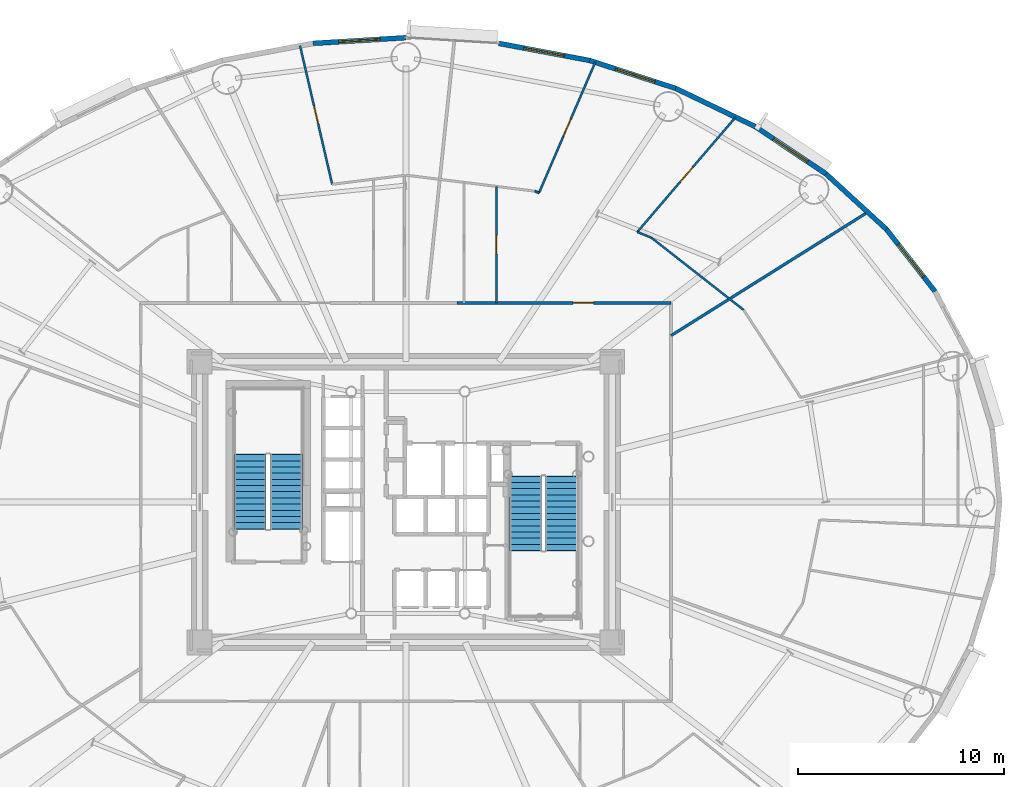
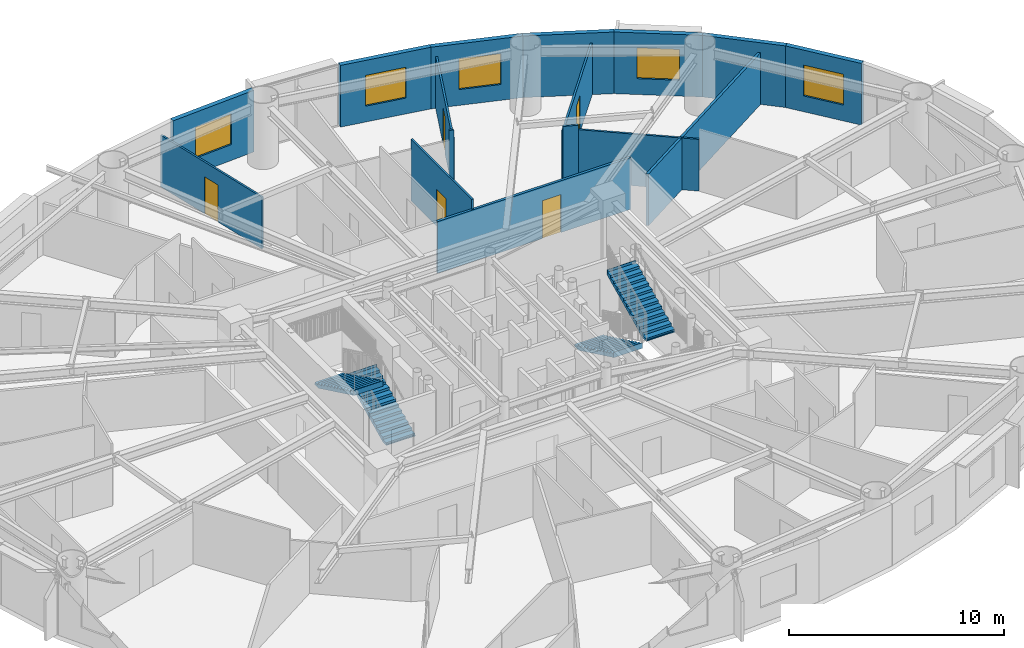
# One storey, part 15 of 21: 16 walls, 5 doors, 5 windows, 4 stair flights, 10 openings, 2 elements without a shape of their own.
"""IFC4 building model written with IfcOpenShell, lengths in metres."""

from ifc_helpers import new_model, si_unit, direction, frame, frame_2d, origin, origin_2d, place, context, subcontext, project, spatial, polyline, rectangle, outline, extrude, source, transform, mapped, material, layer, layer_set, type_object, element, fill, aggregate, save


model = new_model("IFC4")

# Units and contexts
model_context = context("Model", 3, precision=1e-05, world=origin(), true_north=direction((0.0, 1.0)))
body_context = subcontext(model_context, "Body", "Model", "MODEL_VIEW")
ifc_project = project(units=[si_unit("LENGTHUNIT", "METRE"), si_unit("AREAUNIT", "SQUARE_METRE"), si_unit("VOLUMEUNIT", "CUBIC_METRE"), si_unit("PLANEANGLEUNIT", "RADIAN"), si_unit("MASSUNIT", "GRAM", prefix="KILO")], contexts=[model_context])

# Site, building, storey
site_placement = place(None, origin())
site = spatial("IfcSite", under=ifc_project, at=site_placement, CompositionType="ELEMENT")
building_placement = place(site_placement, origin())
building = spatial("IfcBuilding", under=site, at=building_placement, Name="Linh Dai School and Residence Tower", CompositionType="ELEMENT")
storey_placement = place(building_placement, frame((0.0, 0.0, 115.949951171875)))
storey = spatial("IfcBuildingStorey", under=building, at=storey_placement, Name="L27", CompositionType="ELEMENT", Elevation=115.949951171875)

# Wall, opening, window
ifc_material_1 = material(Name="Precast Concrete B45 (C35/45)", Category="concrete")
ifc_layer_1 = layer(ifc_material_1, 0.239990234375)
ifc_layer_set_1 = layer_set([ifc_layer_1], Name="Precast Concrete B45 (C35/45)")
wall_type_1 = type_object("IfcWallType", Name="EW-TC-240", PredefinedType="SOLIDWALL", material=ifc_layer_set_1)
wall_1_placement = place(storey_placement, frame((59.2890625, 40.216552734375, 0.0), z_axis=(0.0, 0.0, 1.0), x_axis=(0.616272103517, -0.787533297345, 0.0)))
wall_1 = element("IfcWall", 1, at=wall_1_placement, inside=storey, type_object=wall_type_1, Name="L27 Terracotta Exterior Wall 04", PredefinedType="SOLIDWALL", context=body_context, shape_type="SweptSolid", body=[
    extrude(rectangle(XDim=3.8232421875, YDim=0.239990234375, at=frame_2d((1.91162109375, 0.0))), origin(), (0.0, 0.0, 1.0), 3.5),
])
opening_1_placement = place(wall_1_placement, frame((0.91162109375, 0.0, 0.89990234375)))
opening_1 = element("IfcOpeningElement", 2, at=opening_1_placement, cuts=wall_1, Name="Opening W1", PredefinedType="OPENING", context=body_context, shape_type="SweptSolid", body=[
    extrude(rectangle(XDim=2.0, YDim=1.75, at=origin_2d()), frame((1.0, 0.1298828125, 0.875), z_axis=(0.0, -1.0, 0.0), x_axis=(1.0, 0.0, 0.0)), (0.0, 0.0, 1.0), 0.260009765625),
])
ifc_material_2 = material(Name="Double Low-E Insulated Glazing", Category="glass")
window_type = type_object("IfcWindowType", Name="WN-RES-2000x1750", PartitioningType="DOUBLE_PANEL_VERTICAL", PredefinedType="WINDOW", material=ifc_material_2)
shared_shape_1 = source(origin(), body_context, "Body", "SweptSolid", [
    extrude(rectangle(XDim=2.0, YDim=1.75, at=origin_2d()), frame((1.0, 0.030029296875, 0.875), z_axis=(0.0, -1.0, 0.0), x_axis=(1.0, 0.0, 0.0)), (0.0, 0.0, 1.0), 0.06005859375),
])
window_1_placement = place(opening_1_placement, origin())
window_1 = element("IfcWindow", 3, at=window_1_placement, inside=storey, type_object=window_type, Name="L27 Exterior Window 04.1", OverallHeight=1.75, OverallWidth=2.0, PartitioningType="DOUBLE_PANEL_VERTICAL", PredefinedType="WINDOW", context=body_context, shape_type="MappedRepresentation", body=[
    mapped(shared_shape_1, transform((0.0, 0.0, 0.0), x_axis=(1.0, 0.0, 0.0), y_axis=(0.0, 1.0, 0.0), z_axis=(0.0, 0.0, 1.0), scale=1.0)),
])
fill(opening_1, window_1)

# Wall
wall_2_placement = place(storey_placement, frame((56.3583984375, 42.9033203125, 0.0), z_axis=(0.0, 0.0, 1.0), x_axis=(0.737113356241, -0.675769117414, 0.0)))
element("IfcWall", 4, at=wall_2_placement, inside=storey, type_object=wall_type_1, Name="L27 Terracotta Exterior Wall 05", PredefinedType="SOLIDWALL", context=body_context, shape_type="SweptSolid", body=[
    extrude(rectangle(XDim=3.975830078125, YDim=0.239990234375, at=frame_2d((1.98779296875, 0.0))), origin(), (0.0, 0.0, 1.0), 3.5),
])

# Wall, opening, window
wall_3_placement = place(storey_placement, frame((52.92529296875, 45.199462890625, 0.0), z_axis=(0.0, 0.0, 1.0), x_axis=(0.831221811447, -0.555940914284, 0.0)))
wall_3 = element("IfcWall", 5, at=wall_3_placement, inside=storey, type_object=wall_type_1, Name="L27 Terracotta Exterior Wall 06", PredefinedType="SOLIDWALL", context=body_context, shape_type="SweptSolid", body=[
    extrude(rectangle(XDim=4.130126953125, YDim=0.239990234375, at=frame_2d((2.06494140625, 0.0))), origin(), (0.0, 0.0, 1.0), 3.5),
])
opening_2_placement = place(wall_3_placement, frame((1.06494140625, 0.0, 0.89990234375)))
opening_2 = element("IfcOpeningElement", 6, at=opening_2_placement, cuts=wall_3, Name="Opening W1", PredefinedType="OPENING", context=body_context, shape_type="SweptSolid", body=[
    extrude(rectangle(XDim=2.0, YDim=1.75, at=origin_2d()), frame((1.0, 0.1298828125, 0.875), z_axis=(0.0, -1.0, 0.0), x_axis=(1.0, 0.0, 0.0)), (0.0, 0.0, 1.0), 0.260009765625),
])
window_2_placement = place(opening_2_placement, origin())
window_2 = element("IfcWindow", 7, at=window_2_placement, inside=storey, type_object=window_type, Name="L27 Exterior Window 06.1", OverallHeight=1.75, OverallWidth=2.0, PartitioningType="DOUBLE_PANEL_VERTICAL", PredefinedType="WINDOW", context=body_context, shape_type="MappedRepresentation", body=[
    mapped(shared_shape_1, transform((0.0, 0.0, 0.0), x_axis=(1.0, 0.0, 0.0), y_axis=(0.0, 1.0, 0.0), z_axis=(0.0, 0.0, 1.0), scale=1.0)),
])
fill(opening_2, window_2)

# Wall
wall_4_placement = place(storey_placement, frame((49.073974609375, 47.04736328125, 0.0), z_axis=(0.0, 0.0, 1.0), x_axis=(0.901589935876, -0.432591709962, 0.0)))
element("IfcWall", 8, at=wall_4_placement, inside=storey, type_object=wall_type_1, Name="L27 Terracotta Exterior Wall 07", PredefinedType="SOLIDWALL", context=body_context, shape_type="SweptSolid", body=[
    extrude(rectangle(XDim=4.271728515625, YDim=0.239990234375, at=frame_2d((2.1357421875, 0.0))), origin(), (0.0, 0.0, 1.0), 3.5),
])

# Wall, opening, window
wall_5_placement = place(storey_placement, frame((44.899658203125, 48.4013671875, 0.0), z_axis=(0.0, 0.0, 1.0), x_axis=(0.951211346073, -0.308540070495, 0.0)))
wall_5 = element("IfcWall", 9, at=wall_5_placement, inside=storey, type_object=wall_type_1, Name="L27 Terracotta Exterior Wall 08", PredefinedType="SOLIDWALL", context=body_context, shape_type="SweptSolid", body=[
    extrude(rectangle(XDim=4.388427734375, YDim=0.239990234375, at=frame_2d((2.1943359375, 0.0))), origin(), (0.0, 0.0, 1.0), 3.5),
])
opening_3_placement = place(wall_5_placement, frame((1.329345703125, 0.0, 0.89990234375)))
opening_3 = element("IfcOpeningElement", 10, at=opening_3_placement, cuts=wall_5, Name="Opening W1", PredefinedType="OPENING", context=body_context, shape_type="SweptSolid", body=[
    extrude(rectangle(XDim=2.0, YDim=1.75, at=origin_2d()), frame((1.0, 0.1298828125, 0.875), z_axis=(0.0, -1.0, 0.0), x_axis=(1.0, 0.0, 0.0)), (0.0, 0.0, 1.0), 0.260009765625),
])
window_3_placement = place(opening_3_placement, origin())
window_3 = element("IfcWindow", 11, at=window_3_placement, inside=storey, type_object=window_type, Name="L27 Exterior Window 08.1", OverallHeight=1.75, OverallWidth=2.0, PartitioningType="DOUBLE_PANEL_VERTICAL", PredefinedType="WINDOW", context=body_context, shape_type="MappedRepresentation", body=[
    mapped(shared_shape_1, transform((0.0, 0.0, 0.0), x_axis=(1.0, 0.0, 0.0), y_axis=(0.0, 1.0, 0.0), z_axis=(0.0, 0.0, 1.0), scale=1.0)),
])
fill(opening_3, window_3)

wall_6_placement = place(storey_placement, frame((40.505615234375, 49.227294921875, 0.0), z_axis=(0.0, 0.0, 1.0), x_axis=(0.982789252177, -0.184730305596, 0.0)))
wall_6 = element("IfcWall", 12, at=wall_6_placement, inside=storey, type_object=wall_type_1, Name="L27 Terracotta Exterior Wall 09", PredefinedType="SOLIDWALL", context=body_context, shape_type="SweptSolid", body=[
    extrude(rectangle(XDim=4.470947265625, YDim=0.239990234375, at=frame_2d((2.2353515625, 0.0))), origin(), (0.0, 0.0, 1.0), 3.5),
])
opening_4_placement = place(wall_6_placement, frame((1.235595703125, 0.0, 0.89990234375)))
opening_4 = element("IfcOpeningElement", 13, at=opening_4_placement, cuts=wall_6, Name="Opening W1", PredefinedType="OPENING", context=body_context, shape_type="SweptSolid", body=[
    extrude(rectangle(XDim=2.0, YDim=1.75, at=origin_2d()), frame((1.0, 0.1298828125, 0.875), z_axis=(0.0, -1.0, 0.0), x_axis=(1.0, 0.0, 0.0)), (0.0, 0.0, 1.0), 0.260009765625),
])
window_4_placement = place(opening_4_placement, origin())
window_4 = element("IfcWindow", 14, at=window_4_placement, inside=storey, type_object=window_type, Name="L27 Exterior Window 09.1", OverallHeight=1.75, OverallWidth=2.0, PartitioningType="DOUBLE_PANEL_VERTICAL", PredefinedType="WINDOW", context=body_context, shape_type="MappedRepresentation", body=[
    mapped(shared_shape_1, transform((0.0, 0.0, 0.0), x_axis=(1.0, 0.0, 0.0), y_axis=(0.0, 1.0, 0.0), z_axis=(0.0, 0.0, 1.0), scale=1.0)),
])
fill(opening_4, window_4)

wall_7_placement = place(storey_placement, frame((31.494384765625, 49.227294921875, 0.0), z_axis=(0.0, 0.0, 1.0), x_axis=(0.998107531589, 0.061492726276, 0.0)))
wall_7 = element("IfcWall", 15, at=wall_7_placement, inside=storey, type_object=wall_type_1, Name="L27 Terracotta Exterior Wall 11", PredefinedType="SOLIDWALL", context=body_context, shape_type="SweptSolid", body=[
    extrude(rectangle(XDim=4.51416015625, YDim=0.239990234375, at=frame_2d((2.257080078125, 0.0))), origin(), (0.0, 0.0, 1.0), 3.5),
])
opening_5_placement = place(wall_7_placement, frame((1.257080078125, 0.0, 0.89990234375)))
opening_5 = element("IfcOpeningElement", 16, at=opening_5_placement, cuts=wall_7, Name="Opening W1", PredefinedType="OPENING", context=body_context, shape_type="SweptSolid", body=[
    extrude(rectangle(XDim=2.0, YDim=1.75, at=origin_2d()), frame((1.0, 0.1298828125, 0.875), z_axis=(0.0, -1.0, 0.0), x_axis=(1.0, 0.0, 0.0)), (0.0, 0.0, 1.0), 0.260009765625),
])
window_5_placement = place(opening_5_placement, origin())
window_5 = element("IfcWindow", 17, at=window_5_placement, inside=storey, type_object=window_type, Name="L27 Exterior Window 11.1", OverallHeight=1.75, OverallWidth=2.0, PartitioningType="DOUBLE_PANEL_VERTICAL", PredefinedType="WINDOW", context=body_context, shape_type="MappedRepresentation", body=[
    mapped(shared_shape_1, transform((0.0, 0.0, 0.0), x_axis=(1.0, 0.0, 0.0), y_axis=(0.0, 1.0, 0.0), z_axis=(0.0, 0.0, 1.0), scale=1.0)),
])
fill(opening_5, window_5)

# Wall, opening, door
ifc_material_3 = material(Name="Autoclaved Aerated Concrete Blockwork", Category="masonry")
ifc_layer_2 = layer(ifc_material_3, 0.135009765625)
ifc_layer_set_2 = layer_set([ifc_layer_2], Name="Autoclaved Aerated Concrete Blockwork")
wall_type_2 = type_object("IfcWallType", Name="IW-CORR-135-EI90", PredefinedType="PARTITIONING", material=ifc_layer_set_2)
wall_8_placement = place(storey_placement, frame((38.47705078125, 36.64990234375, 0.0), z_axis=(0.0, 0.0, 1.0), x_axis=(1.0, 0.0, 0.0)))
wall_8 = element("IfcWall", 18, at=wall_8_placement, inside=storey, type_object=wall_type_2, Name="L27 Interior Partition Wall 061", PredefinedType="PARTITIONING", context=body_context, shape_type="SweptSolid", body=[
    extrude(rectangle(XDim=10.373046875, YDim=0.135009765625, at=frame_2d((5.1865234375, 0.0))), origin(), (0.0, 0.0, 1.0), 2.93505859375),
])
opening_6_placement = place(wall_8_placement, frame((5.62109375, 0.0, 0.0)))
opening_6 = element("IfcOpeningElement", 19, at=opening_6_placement, cuts=wall_8, Name="Opening D03", PredefinedType="OPENING", context=body_context, shape_type="SweptSolid", body=[
    extrude(rectangle(XDim=1.0, YDim=2.14990234375, at=origin_2d()), frame((0.5, 0.07763671875, 1.074951171875), z_axis=(0.0, -1.0, 0.0), x_axis=(1.0, 0.0, 0.0)), (0.0, 0.0, 1.0), 0.155029296875),
])
ifc_material_4 = material(Name="Fire-Rated Solid Timber Entrance Door", Category="wood")
door_type_1 = type_object("IfcDoorType", Name="DR-FLAT-1000x2150-FD60S", OperationType="NOTDEFINED", PredefinedType="DOOR", material=ifc_material_4)
shared_shape_2 = source(origin(), body_context, "Body", "SweptSolid", [
    extrude(rectangle(XDim=1.0, YDim=2.14990234375, at=origin_2d()), frame((0.5, 0.02490234375, 1.074951171875), z_axis=(0.0, -1.0, 0.0), x_axis=(1.0, 0.0, 0.0)), (0.0, 0.0, 1.0), 0.050048828125),
])
door_1_placement = place(opening_6_placement, origin())
door_1 = element("IfcDoor", 20, at=door_1_placement, inside=storey, type_object=door_type_1, Name="L27 U2708 Apartment Entrance Door", OperationType="SINGLE_SWING_LEFT", OverallHeight=2.14990234375, OverallWidth=1.0, PredefinedType="DOOR", context=body_context, shape_type="MappedRepresentation", body=[
    mapped(shared_shape_2, transform((0.0, 0.0, 0.0), x_axis=(1.0, 0.0, 0.0), y_axis=(0.0, 1.0, 0.0), z_axis=(0.0, 0.0, 1.0), scale=1.0)),
])
fill(opening_6, door_1)

# Wall
wall_9_placement = place(storey_placement, frame((48.85009765625, 35.06640625, 0.0), z_axis=(0.0, 0.0, 1.0), x_axis=(0.846963568038, 0.531650932866, 0.0)))
element("IfcWall", 21, at=wall_9_placement, inside=storey, type_object=wall_type_2, Name="L27 Interior Partition Wall 089", PredefinedType="PARTITIONING", context=body_context, shape_type="SweptSolid", body=[
    extrude(rectangle(XDim=11.258056640625, YDim=0.135009765625, at=frame_2d((5.62890625, 0.0))), origin(), (0.0, 0.0, 1.0), 2.93505859375),
])

# Wall, opening, door
ifc_material_5 = material(Name="Gypsum Plasterboard Acoustic Stud Partition", Category="masonry")
ifc_layer_3 = layer(ifc_material_5, 0.10009765625)
ifc_layer_set_3 = layer_set([ifc_layer_3], Name="Gypsum Plasterboard Acoustic Stud Partition")
wall_type_3 = type_object("IfcWallType", Name="IW-UNIT-100", PredefinedType="PARTITIONING", material=ifc_layer_set_3)
wall_10_placement = place(storey_placement, frame((30.870361328125, 49.114990234375, 0.0), z_axis=(0.0, 0.0, 1.0), x_axis=(0.225963524246, -0.97413576349, 0.0)))
wall_10 = element("IfcWall", 22, at=wall_10_placement, inside=storey, type_object=wall_type_3, Name="L27 Interior Partition Wall 028", PredefinedType="PARTITIONING", context=body_context, shape_type="SweptSolid", body=[
    extrude(rectangle(XDim=6.895263671875, YDim=0.10009765625, at=frame_2d((3.44775390625, 0.0))), origin(), (0.0, 0.0, 1.0), 2.93505859375),
])
opening_7_placement = place(wall_10_placement, frame((2.997802734375, 0.0, 0.0)))
opening_7 = element("IfcOpeningElement", 23, at=opening_7_placement, cuts=wall_10, Name="Opening D05", PredefinedType="OPENING", context=body_context, shape_type="SweptSolid", body=[
    extrude(rectangle(XDim=0.89990234375, YDim=2.10009765625, at=origin_2d()), frame((0.449951171875, 0.06005859375, 1.050048828125), z_axis=(0.0, -1.0, 0.0), x_axis=(1.0, 0.0, 0.0)), (0.0, 0.0, 1.0), 0.1201171875),
])
ifc_material_6 = material(Name="Engineered Timber Internal Door", Category="wood")
door_type_2 = type_object("IfcDoorType", Name="DR-INT-900x2100", OperationType="NOTDEFINED", PredefinedType="DOOR", material=ifc_material_6)
shared_shape_3 = source(origin(), body_context, "Body", "SweptSolid", [
    extrude(rectangle(XDim=0.89990234375, YDim=2.10009765625, at=origin_2d()), frame((0.449951171875, 0.02490234375, 1.050048828125), z_axis=(0.0, -1.0, 0.0), x_axis=(1.0, 0.0, 0.0)), (0.0, 0.0, 1.0), 0.050048828125),
])
door_2_placement = place(opening_7_placement, origin())
door_2 = element("IfcDoor", 24, at=door_2_placement, inside=storey, type_object=door_type_2, Name="L27 Apartment U2701 Principal Bedroom 1 Door", OperationType="SINGLE_SWING_LEFT", OverallHeight=2.10009765625, OverallWidth=0.89990234375, PredefinedType="DOOR", context=body_context, shape_type="MappedRepresentation", body=[
    mapped(shared_shape_3, transform((0.0, 0.0, 0.0), x_axis=(1.0, 0.0, 0.0), y_axis=(0.0, 1.0, 0.0), z_axis=(0.0, 0.0, 1.0), scale=1.0)),
])
fill(opening_7, door_2)

wall_11_placement = place(storey_placement, frame((40.38623046875, 36.64990234375, 0.0), z_axis=(0.0, 0.0, 1.0), x_axis=(0.0, 1.0, 0.0)))
wall_11 = element("IfcWall", 25, at=wall_11_placement, inside=storey, type_object=wall_type_3, Name="L27 Interior Partition Wall 073", PredefinedType="PARTITIONING", context=body_context, shape_type="SweptSolid", body=[
    extrude(rectangle(XDim=5.647216796875, YDim=0.10009765625, at=frame_2d((2.82373046875, 0.0))), origin(), (0.0, 0.0, 1.0), 3.5),
])
opening_8_placement = place(wall_11_placement, frame((2.37353515625, 0.0, 0.0)))
opening_8 = element("IfcOpeningElement", 26, at=opening_8_placement, cuts=wall_11, Name="Opening D05", PredefinedType="OPENING", context=body_context, shape_type="SweptSolid", body=[
    extrude(rectangle(XDim=0.89990234375, YDim=2.10009765625, at=origin_2d()), frame((0.449951171875, 0.06005859375, 1.050048828125), z_axis=(0.0, -1.0, 0.0), x_axis=(1.0, 0.0, 0.0)), (0.0, 0.0, 1.0), 0.1201171875),
])
door_3_placement = place(opening_8_placement, origin())
door_3 = element("IfcDoor", 27, at=door_3_placement, inside=storey, type_object=door_type_2, Name="L27 Apartment U2708 Kitchen Door", OperationType="SINGLE_SWING_RIGHT", OverallHeight=2.10009765625, OverallWidth=0.89990234375, PredefinedType="DOOR", context=body_context, shape_type="MappedRepresentation", body=[
    mapped(shared_shape_3, transform((0.0, 0.0, 0.0), x_axis=(1.0, 0.0, 0.0), y_axis=(0.0, 1.0, 0.0), z_axis=(0.0, 0.0, 1.0), scale=1.0)),
])
fill(opening_8, door_3)

# Wall
wall_12_placement = place(storey_placement, frame((42.25146484375, 42.065673828125, 0.0), z_axis=(0.0, 0.0, 1.0), x_axis=(0.928632622675, -0.371000609303, 0.0)))
element("IfcWall", 28, at=wall_12_placement, inside=storey, type_object=wall_type_3, Name="L27 Interior Partition Wall 078", PredefinedType="PARTITIONING", context=body_context, shape_type="SweptSolid", body=[
    extrude(rectangle(XDim=0.2158203125, YDim=0.10009765625, at=frame_2d((0.10791015625, 0.0))), origin(), (0.0, 0.0, 1.0), 3.5),
])

# Wall, opening, door
wall_13_placement = place(storey_placement, frame((42.451904296875, 41.985595703125, 0.0), z_axis=(0.0, 0.0, 1.0), x_axis=(0.395466235438, 0.918480515105, 0.0)))
wall_13 = element("IfcWall", 29, at=wall_13_placement, inside=storey, type_object=wall_type_3, Name="L27 Interior Partition Wall 079", PredefinedType="PARTITIONING", context=body_context, shape_type="SweptSolid", body=[
    extrude(rectangle(XDim=6.892578125, YDim=0.10009765625, at=frame_2d((3.4462890625, 0.0))), origin(), (0.0, 0.0, 1.0), 2.93505859375),
])
opening_9_placement = place(wall_13_placement, frame((2.996337890625, 0.0, 0.0)))
opening_9 = element("IfcOpeningElement", 30, at=opening_9_placement, cuts=wall_13, Name="Opening D05", PredefinedType="OPENING", context=body_context, shape_type="SweptSolid", body=[
    extrude(rectangle(XDim=0.89990234375, YDim=2.10009765625, at=origin_2d()), frame((0.449951171875, 0.06005859375, 1.050048828125), z_axis=(0.0, -1.0, 0.0), x_axis=(1.0, 0.0, 0.0)), (0.0, 0.0, 1.0), 0.1201171875),
])
door_4_placement = place(opening_9_placement, origin())
door_4 = element("IfcDoor", 31, at=door_4_placement, inside=storey, type_object=door_type_2, Name="L27 Apartment U2708 Principal Bedroom 2 Door", OperationType="SINGLE_SWING_LEFT", OverallHeight=2.10009765625, OverallWidth=0.89990234375, PredefinedType="DOOR", context=body_context, shape_type="MappedRepresentation", body=[
    mapped(shared_shape_3, transform((0.0, 0.0, 0.0), x_axis=(1.0, 0.0, 0.0), y_axis=(0.0, 1.0, 0.0), z_axis=(0.0, 0.0, 1.0), scale=1.0)),
])
fill(opening_9, door_4)

# Wall
wall_14_placement = place(storey_placement, frame((47.2119140625, 40.086669921875, 0.0), z_axis=(0.0, 0.0, 1.0), x_axis=(0.928752817467, -0.370699614307, 0.0)))
element("IfcWall", 32, at=wall_14_placement, inside=storey, type_object=wall_type_3, Name="L27 Interior Partition Wall 083", PredefinedType="PARTITIONING", context=body_context, shape_type="SweptSolid", body=[
    extrude(rectangle(XDim=0.73095703125, YDim=0.10009765625, at=frame_2d((0.365478515625, 0.0))), origin(), (0.0, 0.0, 1.0), 3.18505859375),
])

# Wall, opening, door
wall_15_placement = place(storey_placement, frame((47.2119140625, 40.086669921875, 0.0), z_axis=(0.0, 0.0, 1.0), x_axis=(0.650621399292, 0.759402261508, 0.0)))
wall_15 = element("IfcWall", 33, at=wall_15_placement, inside=storey, type_object=wall_type_3, Name="L27 Interior Partition Wall 084", PredefinedType="PARTITIONING", context=body_context, shape_type="SweptSolid", body=[
    extrude(rectangle(XDim=7.33447265625, YDim=0.10009765625, at=frame_2d((3.667236328125, 0.0))), origin(), (0.0, 0.0, 1.0), 2.93505859375),
])
opening_10_placement = place(wall_15_placement, frame((3.21728515625, 0.0, 0.0)))
opening_10 = element("IfcOpeningElement", 34, at=opening_10_placement, cuts=wall_15, Name="Opening D05", PredefinedType="OPENING", context=body_context, shape_type="SweptSolid", body=[
    extrude(rectangle(XDim=0.89990234375, YDim=2.10009765625, at=origin_2d()), frame((0.449951171875, 0.06005859375, 1.050048828125), z_axis=(0.0, -1.0, 0.0), x_axis=(1.0, 0.0, 0.0)), (0.0, 0.0, 1.0), 0.1201171875),
])
door_5_placement = place(opening_10_placement, origin())
door_5 = element("IfcDoor", 35, at=door_5_placement, inside=storey, type_object=door_type_2, Name="L27 Apartment U2708 Principal Bedroom 1 Door", OperationType="SINGLE_SWING_RIGHT", OverallHeight=2.10009765625, OverallWidth=0.89990234375, PredefinedType="DOOR", context=body_context, shape_type="MappedRepresentation", body=[
    mapped(shared_shape_3, transform((0.0, 0.0, 0.0), x_axis=(1.0, 0.0, 0.0), y_axis=(0.0, 1.0, 0.0), z_axis=(0.0, 0.0, 1.0), scale=1.0)),
])
fill(opening_10, door_5)

# Wall
wall_16_placement = place(storey_placement, frame((47.890869140625, 39.815673828125, 0.0), z_axis=(0.0, 0.0, 1.0), x_axis=(0.787338202739, -0.616521333376, 0.0)))
element("IfcWall", 36, at=wall_16_placement, inside=storey, type_object=wall_type_3, Name="L27 Interior Partition Wall 086", PredefinedType="PARTITIONING", context=body_context, shape_type="SweptSolid", body=[
    extrude(rectangle(XDim=5.68408203125, YDim=0.10009765625, at=frame_2d((2.842041015625, 0.0))), origin(), (0.0, 0.0, 1.0), 2.93505859375),
])

# Stair, stair flights
ifc_material_7 = material(Name="Concrete B45 (C35/45)", Category="concrete")
stair_type = type_object("IfcStairType", Name="ST-DOG-1550-R1442", PredefinedType="HALF_TURN_STAIR", material=ifc_material_7)
stair_1_placement = place(storey_placement, origin())
stair_1 = element("IfcStair", 37, at=stair_1_placement, inside=storey, type_object=stair_type, Name="L27 Core Smokeproof Exit Stair ST1", PredefinedType="HALF_TURN_STAIR")
stair_flight_type = type_object("IfcStairFlightType", Name="STF-STR-1550-R1442", PredefinedType="STRAIGHT", material=ifc_material_7)
shared_shape_4 = source(origin(), body_context, "Body", "SweptSolid", [
    extrude(outline(polyline([(-0.02490234375, 0.0), (-0.02490234375, 0.06005859375), (0.0, 0.06005859375), (0.0, 0.144287109375), (0.300048828125, 0.144287109375), (0.300048828125, 0.28857421875), (0.60009765625, 0.28857421875), (0.60009765625, 0.4326171875), (0.89990234375, 0.4326171875), (0.89990234375, 0.576904296875), (1.199951171875, 0.576904296875), (1.199951171875, 0.72119140625), (1.5, 0.72119140625), (1.5, 0.865478515625), (1.800048828125, 0.865478515625), (1.800048828125, 1.009521484375), (2.10009765625, 1.009521484375), (2.10009765625, 1.15380859375), (2.39990234375, 1.15380859375), (2.39990234375, 1.298095703125), (2.699951171875, 1.298095703125), (2.699951171875, 1.4423828125), (3.0, 1.4423828125), (3.0, 1.58642578125), (3.300048828125, 1.58642578125), (3.300048828125, 1.730712890625), (3.60009765625, 1.730712890625), (3.60009765625, 1.875), (3.625, 1.875), (3.625, 1.564453125), (3.60009765625, 1.564453125), (0.345947265625, 0.0), (-0.02490234375, 0.0)])), frame((0.0, 0.77490234375, 0.0), z_axis=(0.0, -1.0, 0.0), x_axis=(1.0, 0.0, 0.0)), (0.0, 0.0, 1.0), 1.550048828125),
])
stair_flight_1_placement = place(storey_placement, frame((30.205078125, 25.699951171875, 0.0), z_axis=(0.0, 0.0, 1.0), x_axis=(0.0, 1.0, 0.0)))
stair_flight_1 = element("IfcStairFlight", 38, at=stair_flight_1_placement, type_object=stair_flight_type, Name="ST1 flight 1", NumberOfRisers=13, NumberOfTreads=12, PredefinedType="STRAIGHT", RiserHeight=0.144230769, TreadLength=0.3, context=body_context, shape_type="MappedRepresentation", body=[
    mapped(shared_shape_4, transform((0.0, 0.0, 0.0), x_axis=(1.0, 0.0, 0.0), y_axis=(0.0, 1.0, 0.0), z_axis=(0.0, 0.0, 1.0), scale=1.0)),
])
stair_flight_2_placement = place(storey_placement, frame((28.455078125, 29.300048828125, 1.875), z_axis=(0.0, 0.0, 1.0), x_axis=(0.0, -1.0, 0.0)))
stair_flight_2 = element("IfcStairFlight", 39, at=stair_flight_2_placement, type_object=stair_flight_type, Name="ST1 flight 2", NumberOfRisers=13, NumberOfTreads=12, PredefinedType="STRAIGHT", RiserHeight=0.144230769, TreadLength=0.3, context=body_context, shape_type="MappedRepresentation", body=[
    mapped(shared_shape_4, transform((0.0, 0.0, 0.0), x_axis=(1.0, 0.0, 0.0), y_axis=(0.0, 1.0, 0.0), z_axis=(0.0, 0.0, 1.0), scale=1.0)),
])
aggregate(stair_1, [stair_flight_1, stair_flight_2])

stair_2_placement = place(storey_placement, origin())
stair_2 = element("IfcStair", 40, at=stair_2_placement, inside=storey, type_object=stair_type, Name="L27 Core Smokeproof Exit Stair ST2", PredefinedType="HALF_TURN_STAIR")
stair_flight_3_placement = place(storey_placement, frame((41.794921875, 28.25, 0.0), z_axis=(0.0, 0.0, 1.0), x_axis=(0.0, -1.0, 0.0)))
stair_flight_3 = element("IfcStairFlight", 41, at=stair_flight_3_placement, type_object=stair_flight_type, Name="ST2 flight 1", NumberOfRisers=13, NumberOfTreads=12, PredefinedType="STRAIGHT", RiserHeight=0.144230769, TreadLength=0.3, context=body_context, shape_type="MappedRepresentation", body=[
    mapped(shared_shape_4, transform((0.0, 0.0, 0.0), x_axis=(1.0, 0.0, 0.0), y_axis=(0.0, 1.0, 0.0), z_axis=(0.0, 0.0, 1.0), scale=1.0)),
])
stair_flight_4_placement = place(storey_placement, frame((43.544921875, 24.64990234375, 1.875), z_axis=(0.0, 0.0, 1.0), x_axis=(0.0, 1.0, 0.0)))
stair_flight_4 = element("IfcStairFlight", 42, at=stair_flight_4_placement, type_object=stair_flight_type, Name="ST2 flight 2", NumberOfRisers=13, NumberOfTreads=12, PredefinedType="STRAIGHT", RiserHeight=0.144230769, TreadLength=0.3, context=body_context, shape_type="MappedRepresentation", body=[
    mapped(shared_shape_4, transform((0.0, 0.0, 0.0), x_axis=(1.0, 0.0, 0.0), y_axis=(0.0, 1.0, 0.0), z_axis=(0.0, 0.0, 1.0), scale=1.0)),
])
aggregate(stair_2, [stair_flight_3, stair_flight_4])

save(model, "model.ifc")
